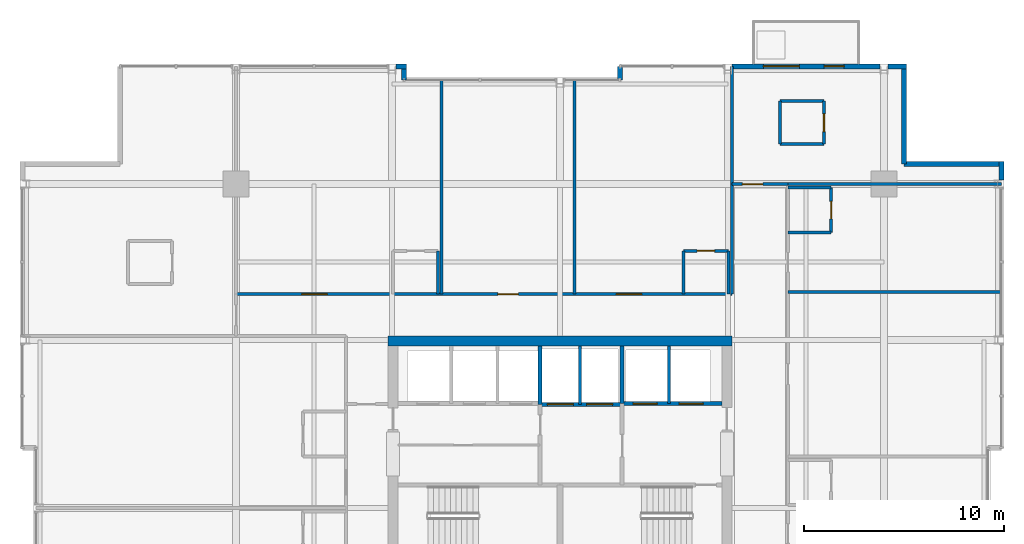
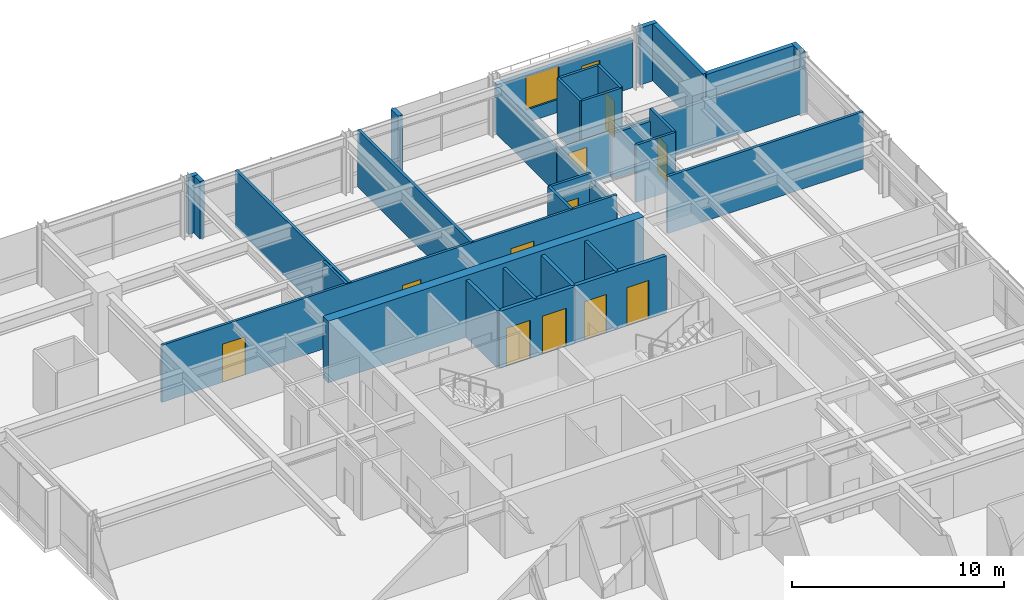
# One storey, part 30 of 33: 34 walls, 12 doors, 1 window, 13 openings.
"""IFC4 building model written with IfcOpenShell, lengths in metres."""

from ifc_helpers import new_model, si_unit, direction, frame, frame_2d, origin, place, context, subcontext, project, spatial, rectangle, extrude, material, layer, layer_set, type_object, element, fill, save


model = new_model("IFC4")

# Units and contexts
model_context = context("Model", 3, precision=1e-05, world=origin(), true_north=direction((0.0, 1.0)))
body_context = subcontext(model_context, "Body", "Model", "MODEL_VIEW")
ifc_project = project(units=[si_unit("LENGTHUNIT", "METRE"), si_unit("AREAUNIT", "SQUARE_METRE"), si_unit("VOLUMEUNIT", "CUBIC_METRE"), si_unit("PLANEANGLEUNIT", "RADIAN"), si_unit("MASSUNIT", "GRAM", prefix="KILO")], contexts=[model_context])

# Site, building, storey
site_placement = place(None, origin())
site = spatial("IfcSite", under=ifc_project, at=site_placement, CompositionType="ELEMENT")
building_placement = place(site_placement, origin())
building = spatial("IfcBuilding", under=site, at=building_placement, Name="Drelvath Grand Hotel", CompositionType="ELEMENT")
storey_placement = place(building_placement, frame((0.0, 0.0, 178.800048828125)))
storey = spatial("IfcBuildingStorey", under=building, at=storey_placement, Name="L46", CompositionType="ELEMENT", Elevation=178.800048828125)

# Wall, openings, doors
ifc_material_1 = material(Name="Concrete C40/50", Category="concrete")
ifc_layer_1 = layer(ifc_material_1, 0.199951171875)
ifc_layer_set_1 = layer_set([ifc_layer_1], Name="Concrete C40/50")
wall_type_1 = type_object("IfcWallType", Name="Core Hoistway Fire Wall 200", PredefinedType="SOLIDWALL", material=ifc_layer_set_1)
wall_1_placement = place(storey_placement, frame((3.10009765625, 32.219970703125, 0.0), z_axis=(0.0, 0.0, 1.0), x_axis=(1.0, 0.0, 0.0)))
wall_1 = element("IfcWall", 1, at=wall_1_placement, inside=storey, type_object=wall_type_1, Name="L46 FSAE Hoistway Front Wall", PredefinedType="SOLIDWALL", context=body_context, shape_type="SweptSolid", body=[
    extrude(rectangle(XDim=5.0, YDim=0.199951171875, at=frame_2d((2.5, 0.0))), origin(), (0.0, 0.0, 1.0), 3.2900390625),
])
opening_1_placement = place(wall_1_placement, frame((0.550048828125, 0.0, 0.0)))
opening_1 = element("IfcOpeningElement", 2, at=opening_1_placement, cuts=wall_1, Name="Opening LD-FSAE-1", PredefinedType="OPENING", context=body_context, shape_type="SweptSolid", body=[
    extrude(rectangle(XDim=1.199951171875, YDim=2.199951171875, at=frame_2d((0.60009765625, 1.10009765625))), frame((0.0, 0.10986328125, 0.0), z_axis=(0.0, -1.0, 0.0), x_axis=(1.0, 0.0, 0.0)), (0.0, 0.0, 1.0), 0.219970703125),
])
opening_2_placement = place(wall_1_placement, frame((2.85009765625, 0.0, 0.0)))
opening_2 = element("IfcOpeningElement", 3, at=opening_2_placement, cuts=wall_1, Name="Opening LD-FSAE-2", PredefinedType="OPENING", context=body_context, shape_type="SweptSolid", body=[
    extrude(rectangle(XDim=1.199951171875, YDim=2.199951171875, at=frame_2d((0.60009765625, 1.10009765625))), frame((0.0, 0.10986328125, 0.0), z_axis=(0.0, -1.0, 0.0), x_axis=(1.0, 0.0, 0.0)), (0.0, 0.0, 1.0), 0.219970703125),
])
ifc_material_2 = material(Name="Stainless Steel S355", Category="steel")
door_type_1 = type_object("IfcDoorType", Name="FSAE Lift Sliding Landing Door 1200x2200", OperationType="NOTDEFINED", PredefinedType="DOOR", material=ifc_material_2)
door_1_placement = place(opening_1_placement, origin())
door_1 = element("IfcDoor", 4, at=door_1_placement, inside=storey, type_object=door_type_1, Name="L46 Lift FSAE-1 Landing Door", OperationType="SLIDING_TO_LEFT", OverallHeight=2.199951171875, OverallWidth=1.199951171875, PredefinedType="DOOR", context=body_context, shape_type="SweptSolid", body=[
    extrude(rectangle(XDim=1.199951171875, YDim=2.199951171875, at=frame_2d((0.60009765625, 1.10009765625))), frame((0.0, 0.02490234375, 0.0), z_axis=(0.0, -1.0, 0.0), x_axis=(1.0, 0.0, 0.0)), (0.0, 0.0, 1.0), 0.050048828125),
])
fill(opening_1, door_1)
door_2_placement = place(opening_2_placement, origin())
door_2 = element("IfcDoor", 5, at=door_2_placement, inside=storey, type_object=door_type_1, Name="L46 Lift FSAE-2 Landing Door", OperationType="SLIDING_TO_LEFT", OverallHeight=2.199951171875, OverallWidth=1.199951171875, PredefinedType="DOOR", context=body_context, shape_type="SweptSolid", body=[
    extrude(rectangle(XDim=1.199951171875, YDim=2.199951171875, at=frame_2d((0.60009765625, 1.10009765625))), frame((0.0, 0.02490234375, 0.0), z_axis=(0.0, -1.0, 0.0), x_axis=(1.0, 0.0, 0.0)), (0.0, 0.0, 1.0), 0.050048828125),
])
fill(opening_2, door_2)

# Wall
wall_2_placement = place(storey_placement, frame((3.10009765625, 32.219970703125, 0.0), z_axis=(0.0, 0.0, 1.0), x_axis=(0.0, 1.0, 0.0)))
element("IfcWall", 6, at=wall_2_placement, inside=storey, type_object=wall_type_1, Name="L46 FSAE Hoistway West Wall", PredefinedType="SOLIDWALL", context=body_context, shape_type="SweptSolid", body=[
    extrude(rectangle(XDim=2.880126953125, YDim=0.199951171875, at=frame_2d((1.43994140625, 0.0))), origin(), (0.0, 0.0, 1.0), 3.2900390625),
])

# Wall, openings, doors
wall_3_placement = place(storey_placement, frame((-1.0, 32.179931640625, 0.0), z_axis=(0.0, 0.0, 1.0), x_axis=(1.0, 0.0, 0.0)))
wall_3 = element("IfcWall", 7, at=wall_3_placement, inside=storey, type_object=wall_type_1, Name="L46 Service Lift Hoistway Wall", PredefinedType="SOLIDWALL", context=body_context, shape_type="SweptSolid", body=[
    extrude(rectangle(XDim=4.10009765625, YDim=0.199951171875, at=frame_2d((2.050048828125, 0.0))), origin(), (0.0, 0.0, 1.0), 3.2900390625),
])
opening_3_placement = place(wall_3_placement, frame((0.3701171875, 0.0, 0.0)))
opening_3 = element("IfcOpeningElement", 8, at=opening_3_placement, cuts=wall_3, Name="Opening LD-SV-2", PredefinedType="OPENING", context=body_context, shape_type="SweptSolid", body=[
    extrude(rectangle(XDim=1.300048828125, YDim=2.199951171875, at=frame_2d((0.64990234375, 1.10009765625))), frame((0.0, 0.10986328125, 0.0), z_axis=(0.0, -1.0, 0.0), x_axis=(1.0, 0.0, 0.0)), (0.0, 0.0, 1.0), 0.219970703125),
])
opening_4_placement = place(wall_3_placement, frame((2.330078125, 0.0, 0.0)))
opening_4 = element("IfcOpeningElement", 9, at=opening_4_placement, cuts=wall_3, Name="Opening LD-SV-1", PredefinedType="OPENING", context=body_context, shape_type="SweptSolid", body=[
    extrude(rectangle(XDim=1.300048828125, YDim=2.199951171875, at=frame_2d((0.64990234375, 1.10009765625))), frame((0.0, 0.10986328125, 0.0), z_axis=(0.0, -1.0, 0.0), x_axis=(1.0, 0.0, 0.0)), (0.0, 0.0, 1.0), 0.219970703125),
])
door_type_2 = type_object("IfcDoorType", Name="Service Lift Sliding Landing Door 1300x2200", OperationType="NOTDEFINED", PredefinedType="DOOR", material=ifc_material_2)
door_3_placement = place(opening_3_placement, origin())
door_3 = element("IfcDoor", 10, at=door_3_placement, inside=storey, type_object=door_type_2, Name="L46 Lift SV-2 Landing Door", OperationType="SLIDING_TO_LEFT", OverallHeight=2.199951171875, OverallWidth=1.300048828125, PredefinedType="DOOR", context=body_context, shape_type="SweptSolid", body=[
    extrude(rectangle(XDim=1.300048828125, YDim=2.199951171875, at=frame_2d((0.64990234375, 1.10009765625))), frame((0.0, 0.02490234375, 0.0), z_axis=(0.0, -1.0, 0.0), x_axis=(1.0, 0.0, 0.0)), (0.0, 0.0, 1.0), 0.050048828125),
])
fill(opening_3, door_3)
door_4_placement = place(opening_4_placement, origin())
door_4 = element("IfcDoor", 11, at=door_4_placement, inside=storey, type_object=door_type_2, Name="L46 Lift SV-1 Landing Door", OperationType="SLIDING_TO_LEFT", OverallHeight=2.199951171875, OverallWidth=1.300048828125, PredefinedType="DOOR", context=body_context, shape_type="SweptSolid", body=[
    extrude(rectangle(XDim=1.300048828125, YDim=2.199951171875, at=frame_2d((0.64990234375, 1.10009765625))), frame((0.0, 0.02490234375, 0.0), z_axis=(0.0, -1.0, 0.0), x_axis=(1.0, 0.0, 0.0)), (0.0, 0.0, 1.0), 0.050048828125),
])
fill(opening_4, door_4)

# Walls
wall_4_placement = place(storey_placement, frame((-1.0, 32.179931640625, 0.0), z_axis=(0.0, 0.0, 1.0), x_axis=(0.0, 1.0, 0.0)))
element("IfcWall", 12, at=wall_4_placement, inside=storey, type_object=wall_type_1, Name="L46 Service Lift West Wall", PredefinedType="SOLIDWALL", context=body_context, shape_type="SweptSolid", body=[
    extrude(rectangle(XDim=2.920166015625, YDim=0.199951171875, at=frame_2d((1.4599609375, 0.0))), origin(), (0.0, 0.0, 1.0), 3.2900390625),
])
ifc_material_3 = material(Name="Gypsum Fireboard Partition")
ifc_layer_2 = layer(ifc_material_3, 0.1650390625)
ifc_layer_set_2 = layer_set([ifc_layer_2], Name="Gypsum Fireboard Partition")
wall_type_2 = type_object("IfcWallType", Name="Core Shaft Partition 165", PredefinedType="PARTITIONING", material=ifc_layer_set_2)
wall_5_placement = place(storey_placement, frame((5.449951171875, 32.219970703125, 0.0), z_axis=(0.0, 0.0, 1.0), x_axis=(0.0, 1.0, 0.0)))
element("IfcWall", 13, at=wall_5_placement, inside=storey, type_object=wall_type_2, Name="L46 FSAE Hoistway Divider", PredefinedType="PARTITIONING", context=body_context, shape_type="SweptSolid", body=[
    extrude(rectangle(XDim=2.880126953125, YDim=0.1650390625, at=frame_2d((1.43994140625, 0.0))), origin(), (0.0, 0.0, 1.0), 3.2900390625),
])
wall_6_placement = place(storey_placement, frame((1.0, 32.179931640625, 0.0), z_axis=(0.0, 0.0, 1.0), x_axis=(0.0, 1.0, 0.0)))
element("IfcWall", 14, at=wall_6_placement, inside=storey, type_object=wall_type_2, Name="L46 Service Lift Divider", PredefinedType="PARTITIONING", context=body_context, shape_type="SweptSolid", body=[
    extrude(rectangle(XDim=2.920166015625, YDim=0.1650390625, at=frame_2d((1.4599609375, 0.0))), origin(), (0.0, 0.0, 1.0), 3.2900390625),
])
ifc_layer_3 = layer(ifc_material_3, 0.135009765625)
ifc_layer_set_3 = layer_set([ifc_layer_3], Name="Gypsum Fireboard Partition")
wall_type_3 = type_object("IfcWallType", Name="Corridor Fire Barrier Wall 135", PredefinedType="PARTITIONING", material=ifc_layer_set_3)
wall_7_placement = place(storey_placement, frame((8.60009765625, 37.699951171875, 0.0), z_axis=(0.0, 0.0, 1.0), x_axis=(0.0, 1.0, 0.0)))
element("IfcWall", 15, at=wall_7_placement, inside=storey, type_object=wall_type_3, Name="L46 East Spine North Inner Wall", PredefinedType="PARTITIONING", context=body_context, shape_type="SweptSolid", body=[
    extrude(rectangle(XDim=5.5, YDim=0.135009765625, at=frame_2d((2.75, 0.0))), origin(), (0.0, 0.0, 1.0), 2.667236328125),
])

# Wall, openings, doors
wall_8_placement = place(storey_placement, frame((-16.199951171875, 37.699951171875, 0.0), z_axis=(0.0, 0.0, 1.0), x_axis=(1.0, 0.0, 0.0)))
wall_8 = element("IfcWall", 16, at=wall_8_placement, inside=storey, type_object=wall_type_3, Name="L46 North Stub Corridor Wall", PredefinedType="PARTITIONING", context=body_context, shape_type="SweptSolid", body=[
    extrude(rectangle(XDim=24.800048828125, YDim=0.135009765625, at=frame_2d((12.39990234375, 0.0))), origin(), (0.0, 0.0, 1.0), 3.2900390625),
])
opening_5_placement = place(wall_8_placement, frame((3.29638671875, 0.0, 0.0)))
opening_5 = element("IfcOpeningElement", 17, at=opening_5_placement, cuts=wall_8, Name="Opening D-T3G3-041", PredefinedType="OPENING", context=body_context, shape_type="SweptSolid", body=[
    extrude(rectangle(XDim=1.260009765625, YDim=2.199951171875, at=frame_2d((0.6298828125, 1.10009765625))), frame((0.0, 0.077392578125, 0.0), z_axis=(0.0, -1.0, 0.0), x_axis=(1.0, 0.0, 0.0)), (0.0, 0.0, 1.0), 0.155029296875),
])
opening_6_placement = place(wall_8_placement, frame((13.099853515625, 0.0, 0.0)))
opening_6 = element("IfcOpeningElement", 18, at=opening_6_placement, cuts=wall_8, Name="Opening D-T3G3-042", PredefinedType="OPENING", context=body_context, shape_type="SweptSolid", body=[
    extrude(rectangle(XDim=1.02001953125, YDim=2.14990234375, at=frame_2d((0.510009765625, 1.074951171875))), frame((0.0, 0.077392578125, 0.0), z_axis=(0.0, -1.0, 0.0), x_axis=(1.0, 0.0, 0.0)), (0.0, 0.0, 1.0), 0.155029296875),
])
opening_7_placement = place(wall_8_placement, frame((19.023193359375, 0.0, 0.0)))
opening_7 = element("IfcOpeningElement", 19, at=opening_7_placement, cuts=wall_8, Name="Opening D-T3G3-044", PredefinedType="OPENING", context=body_context, shape_type="SweptSolid", body=[
    extrude(rectangle(XDim=1.260009765625, YDim=2.199951171875, at=frame_2d((0.6298828125, 1.10009765625))), frame((0.0, 0.077392578125, 0.0), z_axis=(0.0, -1.0, 0.0), x_axis=(1.0, 0.0, 0.0)), (0.0, 0.0, 1.0), 0.155029296875),
])
ifc_material_4 = material(Name="Hardwood Walnut Timber", Category="wood")
door_type_3 = type_object("IfcDoorType", Name="Amenity Meeting Fire Door 1020x2150", OperationType="NOTDEFINED", PredefinedType="DOOR", material=ifc_material_4)
door_5_placement = place(opening_6_placement, origin())
door_5 = element("IfcDoor", 20, at=door_5_placement, inside=storey, type_object=door_type_3, Name="L46 Artisan Coffee Bar Entry Door", OperationType="SINGLE_SWING_RIGHT", OverallHeight=2.14990234375, OverallWidth=1.02001953125, PredefinedType="DOOR", context=body_context, shape_type="SweptSolid", body=[
    extrude(rectangle(XDim=1.02001953125, YDim=2.14990234375, at=frame_2d((0.510009765625, 1.074951171875))), frame((0.0, 0.02490234375, 0.0), z_axis=(0.0, -1.0, 0.0), x_axis=(1.0, 0.0, 0.0)), (0.0, 0.0, 1.0), 0.050048828125),
])
fill(opening_6, door_5)
door_type_4 = type_object("IfcDoorType", Name="Suite Entrance Fire Door 1260x2200", OperationType="NOTDEFINED", PredefinedType="DOOR", material=ifc_material_4)
door_6_placement = place(opening_5_placement, origin())
door_6 = element("IfcDoor", 21, at=door_6_placement, inside=storey, type_object=door_type_4, Name="L46 Executive Suite Entry Door", OperationType="SINGLE_SWING_LEFT", OverallHeight=2.199951171875, OverallWidth=1.260009765625, PredefinedType="DOOR", context=body_context, shape_type="SweptSolid", body=[
    extrude(rectangle(XDim=1.260009765625, YDim=2.199951171875, at=frame_2d((0.6298828125, 1.10009765625))), frame((0.0, 0.02490234375, 0.0), z_axis=(0.0, -1.0, 0.0), x_axis=(1.0, 0.0, 0.0)), (0.0, 0.0, 1.0), 0.050048828125),
])
fill(opening_5, door_6)
door_7_placement = place(opening_7_placement, origin())
door_7 = element("IfcDoor", 22, at=door_7_placement, inside=storey, type_object=door_type_4, Name="L46 Executive Suite Entry Door", OperationType="SINGLE_SWING_RIGHT", OverallHeight=2.199951171875, OverallWidth=1.260009765625, PredefinedType="DOOR", context=body_context, shape_type="SweptSolid", body=[
    extrude(rectangle(XDim=1.260009765625, YDim=2.199951171875, at=frame_2d((0.6298828125, 1.10009765625))), frame((0.0, 0.02490234375, 0.0), z_axis=(0.0, -1.0, 0.0), x_axis=(1.0, 0.0, 0.0)), (0.0, 0.0, 1.0), 0.050048828125),
])
fill(opening_7, door_7)

# Wall, opening, door
wall_9_placement = place(storey_placement, frame((8.60009765625, 43.199951171875, 0.0), z_axis=(0.0, 0.0, 1.0), x_axis=(1.0, 0.0, 0.0)))
wall_9 = element("IfcWall", 23, at=wall_9_placement, inside=storey, type_object=wall_type_3, Name="L46 East Spine North End", PredefinedType="PARTITIONING", context=body_context, shape_type="SweptSolid", body=[
    extrude(rectangle(XDim=2.7998046875, YDim=0.135009765625, at=frame_2d((1.39990234375, 0.0))), origin(), (0.0, 0.0, 1.0), 2.57958984375),
])
opening_8_placement = place(wall_9_placement, frame((0.52001953125, 0.0, 0.0)))
opening_8 = element("IfcOpeningElement", 24, at=opening_8_placement, cuts=wall_9, Name="Opening D-T3G3-031", PredefinedType="OPENING", context=body_context, shape_type="SweptSolid", body=[
    extrude(rectangle(XDim=1.02001953125, YDim=2.14990234375, at=frame_2d((0.510009765625, 1.074951171875))), frame((0.0, 0.077392578125, 0.0), z_axis=(0.0, -1.0, 0.0), x_axis=(1.0, 0.0, 0.0)), (0.0, 0.0, 1.0), 0.155029296875),
])
door_8_placement = place(opening_8_placement, origin())
door_8 = element("IfcDoor", 25, at=door_8_placement, inside=storey, type_object=door_type_3, Name="L46 Executive Suite Entry Door", OperationType="SINGLE_SWING_LEFT", OverallHeight=2.14990234375, OverallWidth=1.02001953125, PredefinedType="DOOR", context=body_context, shape_type="SweptSolid", body=[
    extrude(rectangle(XDim=1.02001953125, YDim=2.14990234375, at=frame_2d((0.510009765625, 1.074951171875))), frame((0.0, 0.02490234375, 0.0), z_axis=(0.0, -1.0, 0.0), x_axis=(1.0, 0.0, 0.0)), (0.0, 0.0, 1.0), 0.050048828125),
])
fill(opening_8, door_8)

# Walls
ifc_material_5 = material(Name="Moisture-Resistant Gypsum Board")
ifc_layer_4 = layer(ifc_material_5, 0.139892578125)
ifc_layer_set_4 = layer_set([ifc_layer_4], Name="Moisture-Resistant Gypsum Board")
wall_type_4 = type_object("IfcWallType", Name="En-Suite Plumbing Wall 140", PredefinedType="PLUMBINGWALL", material=ifc_layer_set_4)
for number, where, z_axis, x_axis, name in (
    (26, (11.0, 45.199951171875, 0.0), (0.0, 0.0, 1.0), (1.0, 0.0, 0.0), "L46 Corner En-Suite South"),
    (27, (11.0, 47.35009765625, 0.0), (0.0, 0.0, 1.0), (1.0, 0.0, 0.0), "L46 Corner En-Suite North"),
):
    element("IfcWall", number, at=place(storey_placement, frame(where, z_axis=z_axis, x_axis=x_axis)), inside=storey, type_object=wall_type_4, Name=name, PredefinedType="PLUMBINGWALL", context=body_context, shape_type="SweptSolid", body=[
        extrude(rectangle(XDim=2.199951171875, YDim=0.139892578125, at=frame_2d((1.10009765625, 0.0))), origin(), (0.0, 0.0, 1.0), 3.2900390625),
    ])
wall_10_placement = place(storey_placement, frame((11.0, 45.199951171875, 0.0), z_axis=(0.0, 0.0, 1.0), x_axis=(0.0, 1.0, 0.0)))
element("IfcWall", 28, at=wall_10_placement, inside=storey, type_object=wall_type_4, Name="L46 Corner En-Suite West", PredefinedType="PLUMBINGWALL", context=body_context, shape_type="SweptSolid", body=[
    extrude(rectangle(XDim=2.150146484375, YDim=0.139892578125, at=frame_2d((1.0751953125, 0.0))), origin(), (0.0, 0.0, 1.0), 3.2900390625),
])

# Wall, opening, door
wall_11_placement = place(storey_placement, frame((13.199951171875, 45.199951171875, 0.0), z_axis=(0.0, 0.0, 1.0), x_axis=(0.0, 1.0, 0.0)))
wall_11 = element("IfcWall", 29, at=wall_11_placement, inside=storey, type_object=wall_type_4, Name="L46 Corner En-Suite East", PredefinedType="PLUMBINGWALL", context=body_context, shape_type="SweptSolid", body=[
    extrude(rectangle(XDim=2.150146484375, YDim=0.139892578125, at=frame_2d((1.0751953125, 0.0))), origin(), (0.0, 0.0, 1.0), 3.2900390625),
])
opening_9_placement = place(wall_11_placement, frame((0.6201171875, 0.0, 0.0)))
opening_9 = element("IfcOpeningElement", 30, at=opening_9_placement, cuts=wall_11, Name="Opening D-T3G3-030", PredefinedType="OPENING", context=body_context, shape_type="SweptSolid", body=[
    extrude(rectangle(XDim=0.8798828125, YDim=2.10009765625, at=frame_2d((0.43994140625, 1.050048828125))), frame((0.0, 0.079833984375, 0.0), z_axis=(0.0, -1.0, 0.0), x_axis=(1.0, 0.0, 0.0)), (0.0, 0.0, 1.0), 0.159912109375),
])
door_type_5 = type_object("IfcDoorType", Name="En-Suite Bathroom Door 880x2100", OperationType="NOTDEFINED", PredefinedType="DOOR", material=ifc_material_4)
door_9_placement = place(opening_9_placement, origin())
door_9 = element("IfcDoor", 31, at=door_9_placement, inside=storey, type_object=door_type_5, Name="L46 Corner En-Suite Door", OperationType="SINGLE_SWING_RIGHT", OverallHeight=2.10009765625, OverallWidth=0.8798828125, PredefinedType="DOOR", context=body_context, shape_type="SweptSolid", body=[
    extrude(rectangle(XDim=0.8798828125, YDim=2.10009765625, at=frame_2d((0.43994140625, 1.050048828125))), frame((0.0, 0.02490234375, 0.0), z_axis=(0.0, -1.0, 0.0), x_axis=(1.0, 0.0, 0.0)), (0.0, 0.0, 1.0), 0.050048828125),
])
fill(opening_9, door_9)

# Walls
for number, where, z_axis, x_axis, name in (
    (32, (-6.09716796875, 37.699951171875, 0.0), (0.0, 0.0, 1.0), (0.0, 1.0, 0.0), "L46 En-Suite Right Wall"),
    (33, (6.169921875, 37.699951171875, 0.0), (0.0, 0.0, 1.0), (0.0, 1.0, 0.0), "L46 En-Suite Left Wall"),
):
    element("IfcWall", number, at=place(storey_placement, frame(where, z_axis=z_axis, x_axis=x_axis)), inside=storey, type_object=wall_type_4, Name=name, PredefinedType="PLUMBINGWALL", context=body_context, shape_type="SweptSolid", body=[
        extrude(rectangle(XDim=2.150146484375, YDim=0.139892578125, at=frame_2d((1.0751953125, 0.0))), origin(), (0.0, 0.0, 1.0), 3.2900390625),
    ])
wall_12_placement = place(storey_placement, frame((8.419921875, 37.699951171875, 0.0), z_axis=(0.0, 0.0, 1.0), x_axis=(0.0, 1.0, 0.0)))
element("IfcWall", 34, at=wall_12_placement, inside=storey, type_object=wall_type_4, Name="L46 En-Suite Right Wall", PredefinedType="PLUMBINGWALL", context=body_context, shape_type="SweptSolid", body=[
    extrude(rectangle(XDim=2.150146484375, YDim=0.139892578125, at=frame_2d((1.0751953125, 0.0))), origin(), (0.0, 0.0, 1.0), 2.667236328125),
])

# Wall, opening, door
wall_13_placement = place(storey_placement, frame((6.169921875, 39.85009765625, 0.0), z_axis=(0.0, 0.0, 1.0), x_axis=(1.0, 0.0, 0.0)))
wall_13 = element("IfcWall", 35, at=wall_13_placement, inside=storey, type_object=wall_type_4, Name="L46 En-Suite Front Wall", PredefinedType="PLUMBINGWALL", context=body_context, shape_type="SweptSolid", body=[
    extrude(rectangle(XDim=2.25, YDim=0.139892578125, at=frame_2d((1.125, 0.0))), origin(), (0.0, 0.0, 1.0), 3.2900390625),
])
opening_10_placement = place(wall_13_placement, frame((0.68505859375, 0.0, 0.0)))
opening_10 = element("IfcOpeningElement", 36, at=opening_10_placement, cuts=wall_13, Name="Opening D-T3G3-043", PredefinedType="OPENING", context=body_context, shape_type="SweptSolid", body=[
    extrude(rectangle(XDim=0.8798828125, YDim=2.10009765625, at=frame_2d((0.43994140625, 1.050048828125))), frame((0.0, 0.079833984375, 0.0), z_axis=(0.0, -1.0, 0.0), x_axis=(1.0, 0.0, 0.0)), (0.0, 0.0, 1.0), 0.159912109375),
])
door_10_placement = place(opening_10_placement, origin())
door_10 = element("IfcDoor", 37, at=door_10_placement, inside=storey, type_object=door_type_5, Name="L46 En-Suite Bathroom Door", OperationType="SINGLE_SWING_LEFT", OverallHeight=2.10009765625, OverallWidth=0.8798828125, PredefinedType="DOOR", context=body_context, shape_type="SweptSolid", body=[
    extrude(rectangle(XDim=0.8798828125, YDim=2.10009765625, at=frame_2d((0.43994140625, 1.050048828125))), frame((0.0, 0.02490234375, 0.0), z_axis=(0.0, -1.0, 0.0), x_axis=(1.0, 0.0, 0.0)), (0.0, 0.0, 1.0), 0.050048828125),
])
fill(opening_10, door_10)

# Walls
wall_14_placement = place(storey_placement, frame((11.39990234375, 40.77001953125, 0.0), z_axis=(0.0, 0.0, 1.0), x_axis=(1.0, 0.0, 0.0)))
element("IfcWall", 38, at=wall_14_placement, inside=storey, type_object=wall_type_4, Name="L46 En-Suite Left Wall", PredefinedType="PLUMBINGWALL", context=body_context, shape_type="SweptSolid", body=[
    extrude(rectangle(XDim=2.150146484375, YDim=0.139892578125, at=frame_2d((1.0751953125, 0.0))), origin(), (0.0, 0.0, 1.0), 3.2900390625),
])
wall_15_placement = place(storey_placement, frame((11.39990234375, 43.02001953125, 0.0), z_axis=(0.0, 0.0, 1.0), x_axis=(1.0, 0.0, 0.0)))
element("IfcWall", 39, at=wall_15_placement, inside=storey, type_object=wall_type_4, Name="L46 En-Suite Right Wall", PredefinedType="PLUMBINGWALL", context=body_context, shape_type="SweptSolid", body=[
    extrude(rectangle(XDim=2.150146484375, YDim=0.139892578125, at=frame_2d((1.0751953125, 0.0))), origin(), (0.0, 0.0, 1.0), 2.57958984375),
])

# Wall, opening, door
wall_16_placement = place(storey_placement, frame((13.550048828125, 40.77001953125, 0.0), z_axis=(0.0, 0.0, 1.0), x_axis=(0.0, 1.0, 0.0)))
wall_16 = element("IfcWall", 40, at=wall_16_placement, inside=storey, type_object=wall_type_4, Name="L46 En-Suite Front Wall", PredefinedType="PLUMBINGWALL", context=body_context, shape_type="SweptSolid", body=[
    extrude(rectangle(XDim=2.25, YDim=0.139892578125, at=frame_2d((1.125, 0.0))), origin(), (0.0, 0.0, 1.0), 3.2900390625),
])
opening_11_placement = place(wall_16_placement, frame((0.68505859375, 0.0, 0.0)))
opening_11 = element("IfcOpeningElement", 41, at=opening_11_placement, cuts=wall_16, Name="Opening D-T3G3-051", PredefinedType="OPENING", context=body_context, shape_type="SweptSolid", body=[
    extrude(rectangle(XDim=0.8798828125, YDim=2.10009765625, at=frame_2d((0.43994140625, 1.050048828125))), frame((0.0, 0.079833984375, 0.0), z_axis=(0.0, -1.0, 0.0), x_axis=(1.0, 0.0, 0.0)), (0.0, 0.0, 1.0), 0.159912109375),
])
door_11_placement = place(opening_11_placement, origin())
door_11 = element("IfcDoor", 42, at=door_11_placement, inside=storey, type_object=door_type_5, Name="L46 En-Suite Bathroom Door", OperationType="SINGLE_SWING_LEFT", OverallHeight=2.10009765625, OverallWidth=0.8798828125, PredefinedType="DOOR", context=body_context, shape_type="SweptSolid", body=[
    extrude(rectangle(XDim=0.8798828125, YDim=2.10009765625, at=frame_2d((0.43994140625, 1.050048828125))), frame((0.0, 0.02490234375, 0.0), z_axis=(0.0, -1.0, 0.0), x_axis=(1.0, 0.0, 0.0)), (0.0, 0.0, 1.0), 0.050048828125),
])
fill(opening_11, door_11)

# Walls
ifc_material_6 = material(Name="Gypsum Acoustic Partition")
ifc_layer_5 = layer(ifc_material_6, 0.14990234375)
ifc_layer_set_5 = layer_set([ifc_layer_5], Name="Gypsum Acoustic Partition")
wall_type_5 = type_object("IfcWallType", Name="Guestroom Demising Wall 150", PredefinedType="PARTITIONING", material=ifc_layer_set_5)
for number, where, z_axis, x_axis, name in (
    (43, (-5.9169921875, 37.699951171875, 0.0), (0.0, 0.0, 1.0), (0.0, 1.0, 0.0), "L46 North Demising 1"),
    (44, (0.736572265625, 37.699951171875, 0.0), (0.0, 0.0, 1.0), (0.0, 1.0, 0.0), "L46 North Demising 2"),
):
    element("IfcWall", number, at=place(storey_placement, frame(where, z_axis=z_axis, x_axis=x_axis)), inside=storey, type_object=wall_type_5, Name=name, PredefinedType="PARTITIONING", context=body_context, shape_type="SweptSolid", body=[
        extrude(rectangle(XDim=10.699951171875, YDim=0.14990234375, at=frame_2d((5.35009765625, 0.0))), origin(), (0.0, 0.0, 1.0), 3.2900390625),
    ])
wall_17_placement = place(storey_placement, frame((11.39990234375, 37.800048828125, 0.0), z_axis=(0.0, 0.0, 1.0), x_axis=(1.0, 0.0, 0.0)))
element("IfcWall", 45, at=wall_17_placement, inside=storey, type_object=wall_type_5, Name="L46 East Demising 4", PredefinedType="PARTITIONING", context=body_context, shape_type="SweptSolid", body=[
    extrude(rectangle(XDim=10.68017578125, YDim=0.14990234375, at=frame_2d((5.340087890625, 0.0))), origin(), (0.0, 0.0, 1.0), 3.2900390625),
])
ifc_layer_6 = layer(ifc_material_6, 0.1650390625)
ifc_layer_set_6 = layer_set([ifc_layer_6], Name="Gypsum Acoustic Partition")
wall_type_6 = type_object("IfcWallType", Name="Suite Demising Wall 165", PredefinedType="PARTITIONING", material=ifc_layer_set_6)
wall_18_placement = place(storey_placement, frame((8.60009765625, 43.199951171875, 0.0), z_axis=(0.0, 0.0, 1.0), x_axis=(0.0, 1.0, 0.0)))
element("IfcWall", 46, at=wall_18_placement, inside=storey, type_object=wall_type_6, Name="L46 NE Suite West Wall", PredefinedType="PARTITIONING", context=body_context, shape_type="SweptSolid", body=[
    extrude(rectangle(XDim=5.880126953125, YDim=0.1650390625, at=frame_2d((2.93994140625, 0.0))), origin(), (0.0, 0.0, 1.0), 2.57958984375),
])
wall_19_placement = place(storey_placement, frame((11.39990234375, 43.199951171875, 0.0), z_axis=(0.0, 0.0, 1.0), x_axis=(1.0, 0.0, 0.0)))
element("IfcWall", 47, at=wall_19_placement, inside=storey, type_object=wall_type_6, Name="L46 NE Suite South Wall", PredefinedType="PARTITIONING", context=body_context, shape_type="SweptSolid", body=[
    extrude(rectangle(XDim=10.68017578125, YDim=0.1650390625, at=frame_2d((5.340087890625, 0.0))), origin(), (0.0, 0.0, 1.0), 2.57958984375),
])
ifc_material_7 = material(Name="Pale-Metal Insulated Aluminium Spandrel Assembly", Category="aluminium")
ifc_layer_7 = layer(ifc_material_7, 0.239990234375)
ifc_layer_set_7 = layer_set([ifc_layer_7], Name="Pale-Metal Insulated Aluminium Spandrel Assembly")
wall_type_7 = type_object("IfcWallType", Name="Tower Insulated Metal Spandrel Closure Wall 240", PredefinedType="STANDARD", material=ifc_layer_set_7)
wall_20_placement = place(storey_placement, frame((22.080078125, 44.320068359375, 0.0), z_axis=(0.0, 0.0, 1.0), x_axis=(0.0, -1.0, 0.0)))
element("IfcWall", 48, at=wall_20_placement, inside=storey, type_object=wall_type_7, Name="L46 Corner Pier Spandrel Wall EN3", PredefinedType="STANDARD", context=body_context, shape_type="SweptSolid", body=[
    extrude(rectangle(XDim=0.928466796875, YDim=0.239990234375, at=frame_2d((0.46435546875, 0.0))), origin(), (0.0, 0.0, 1.0), 3.2900390625),
])
wall_21_placement = place(storey_placement, frame((-8.208251953125, 49.080078125, 0.0), z_axis=(0.0, 0.0, 1.0), x_axis=(1.0, 0.0, 0.0)))
element("IfcWall", 49, at=wall_21_placement, inside=storey, type_object=wall_type_7, Name="L46 Corner Pier Spandrel Wall NW3", PredefinedType="STANDARD", context=body_context, shape_type="SweptSolid", body=[
    extrude(rectangle(XDim=0.5283203125, YDim=0.239990234375, at=frame_2d((0.26416015625, 0.0))), origin(), (0.0, 0.0, 1.0), 3.2900390625),
])

# Wall, openings, window, door
wall_22_placement = place(storey_placement, frame((8.591796875, 49.080078125, 0.0), z_axis=(0.0, 0.0, 1.0), x_axis=(1.0, 0.0, 0.0)))
wall_22 = element("IfcWall", 50, at=wall_22_placement, inside=storey, type_object=wall_type_7, Name="L46 Exterior Terrace Door Bay Wall NE2", PredefinedType="STANDARD", context=body_context, shape_type="SweptSolid", body=[
    extrude(rectangle(XDim=7.41650390625, YDim=0.239990234375, at=frame_2d((3.708251953125, 0.0))), origin(), (0.0, 0.0, 1.0), 2.753173828125),
])
opening_12_placement = place(wall_22_placement, frame((4.6083984375, 0.0, 0.0)))
opening_12 = element("IfcOpeningElement", 51, at=opening_12_placement, cuts=wall_22, Name="Opening TD-1000", PredefinedType="OPENING", context=body_context, shape_type="SweptSolid", body=[
    extrude(rectangle(XDim=1.0, YDim=2.199951171875, at=frame_2d((0.5, 1.10009765625))), frame((0.0, 0.1298828125, 0.0), z_axis=(0.0, -1.0, 0.0), x_axis=(1.0, 0.0, 0.0)), (0.0, 0.0, 1.0), 0.260009765625),
])
opening_13_placement = place(wall_22_placement, frame((1.57958984375, 0.0, 0.75)))
opening_13 = element("IfcOpeningElement", 52, at=opening_13_placement, cuts=wall_22, Name="Opening W-02", PredefinedType="OPENING", context=body_context, shape_type="SweptSolid", body=[
    extrude(rectangle(XDim=1.800048828125, YDim=1.9033203125, at=frame_2d((0.89990234375, 0.95166015625))), frame((0.0, 0.1298828125, 0.0), z_axis=(0.0, -1.0, 0.0), x_axis=(1.0, 0.0, 0.0)), (0.0, 0.0, 1.0), 0.260009765625),
])
ifc_material_8 = material(Name="Bronze Anodised Low-E Triple Glazing", Category="glass")
window_type = type_object("IfcWindowType", Name="Chicago Double-Pane Podium Window 1800x2400", PartitioningType="DOUBLE_PANEL_VERTICAL", PredefinedType="WINDOW", material=ifc_material_8)
window_placement = place(opening_13_placement, origin())
window = element("IfcWindow", 53, at=window_placement, inside=storey, type_object=window_type, Name="L46 Terrace Bay Companion Window NE2", OverallHeight=1.9033203125, OverallWidth=1.800048828125, PartitioningType="SINGLE_PANEL", PredefinedType="WINDOW", context=body_context, shape_type="SweptSolid", body=[
    extrude(rectangle(XDim=1.800048828125, YDim=1.9033203125, at=frame_2d((0.89990234375, 0.95166015625))), frame((0.0, 0.030029296875, 0.0), z_axis=(0.0, -1.0, 0.0), x_axis=(1.0, 0.0, 0.0)), (0.0, 0.0, 1.0), 0.06005859375),
])
fill(opening_13, window)
ifc_material_9 = material(Name="Anodised Aluminium Thermally Broken Glazed Door", Category="aluminium")
door_type_6 = type_object("IfcDoorType", Name="Terrace and Tree Balcony Glazed Door 1000x2200", OperationType="NOTDEFINED", PredefinedType="DOOR", material=ifc_material_9)
door_12_placement = place(opening_12_placement, origin())
door_12 = element("IfcDoor", 54, at=door_12_placement, inside=storey, type_object=door_type_6, Name="L46 Tree Balcony Door DOOR-L46-TBAL-1", OperationType="SINGLE_SWING_LEFT", OverallHeight=2.199951171875, OverallWidth=1.0, PredefinedType="DOOR", context=body_context, shape_type="SweptSolid", body=[
    extrude(rectangle(XDim=1.0, YDim=2.199951171875, at=frame_2d((0.5, 1.10009765625))), frame((0.0, 0.02490234375, 0.0), z_axis=(0.0, -1.0, 0.0), x_axis=(1.0, 0.0, 0.0)), (0.0, 0.0, 1.0), 0.050048828125),
])
fill(opening_12, door_12)

# Walls
wall_23_placement = place(storey_placement, frame((16.3916015625, 49.080078125, 0.0), z_axis=(0.0, 0.0, 1.0), x_axis=(1.0, 0.0, 0.0)))
element("IfcWall", 55, at=wall_23_placement, inside=storey, type_object=wall_type_7, Name="L46 Corner Pier Spandrel Wall NE3", PredefinedType="STANDARD", context=body_context, shape_type="SweptSolid", body=[
    extrude(rectangle(XDim=0.928466796875, YDim=0.239990234375, at=frame_2d((0.46435546875, 0.0))), origin(), (0.0, 0.0, 1.0), 3.2900390625),
])
for number, where, z_axis, x_axis, name in (
    (56, (17.199951171875, 48.9599609375, 0.0), (0.0, 0.0, 1.0), (0.0, -1.0, 0.0), "L46 Notched Corner Return Spandrel Wall CNE1"),
    (57, (17.199951171875, 44.199951171875, 0.0), (0.0, 0.0, 1.0), (1.0, 0.0, 0.0), "L46 Notched Corner Return Spandrel Wall CNE2"),
):
    element("IfcWall", number, at=place(storey_placement, frame(where, z_axis=z_axis, x_axis=x_axis)), inside=storey, type_object=wall_type_7, Name=name, PredefinedType="STANDARD", context=body_context, shape_type="SweptSolid", body=[
        extrude(rectangle(XDim=4.760009765625, YDim=0.239990234375, at=frame_2d((2.3798828125, 0.0))), origin(), (0.0, 0.0, 1.0), 3.2900390625),
    ])
wall_24_placement = place(storey_placement, frame((-7.800048828125, 48.9599609375, 0.0), z_axis=(0.0, 0.0, 1.0), x_axis=(0.0, -1.0, 0.0)))
element("IfcWall", 58, at=wall_24_placement, inside=storey, type_object=wall_type_7, Name="L46 Notched Corner Return Spandrel Wall RN1", PredefinedType="STANDARD", context=body_context, shape_type="SweptSolid", body=[
    extrude(rectangle(XDim=0.56005859375, YDim=0.239990234375, at=frame_2d((0.280029296875, 0.0))), origin(), (0.0, 0.0, 1.0), 3.2900390625),
])
wall_25_placement = place(storey_placement, frame((3.0, 48.39990234375, 0.0), z_axis=(0.0, 0.0, 1.0), x_axis=(0.0, 1.0, 0.0)))
element("IfcWall", 59, at=wall_25_placement, inside=storey, type_object=wall_type_7, Name="L46 Notched Corner Return Spandrel Wall RN2", PredefinedType="STANDARD", context=body_context, shape_type="SweptSolid", body=[
    extrude(rectangle(XDim=0.68017578125, YDim=0.239990234375, at=frame_2d((0.340087890625, 0.0))), origin(), (0.0, 0.0, 1.0), 3.2900390625),
])
ifc_material_10 = material(Name="Concrete f'c 55 MPa", Category="concrete")
ifc_layer_8 = layer(ifc_material_10, 0.5)
ifc_layer_set_8 = layer_set([ifc_layer_8], Name="Concrete f'c 55 MPa")
wall_type_8 = type_object("IfcWallType", Name="Upper Core RC Shear Wall 500", PredefinedType="SHEAR", material=ifc_layer_set_8)
wall_26_placement = place(storey_placement, frame((-8.60009765625, 35.35009765625, 0.0), z_axis=(0.0, 0.0, 1.0), x_axis=(1.0, 0.0, 0.0)))
element("IfcWall", 60, at=wall_26_placement, inside=storey, type_object=wall_type_8, Name="L46 Central Core Shear Wall N", PredefinedType="SHEAR", context=body_context, shape_type="SweptSolid", body=[
    extrude(rectangle(XDim=17.2001953125, YDim=0.5, at=frame_2d((8.60009765625, 0.0))), origin(), (0.0, 0.0, 1.0), 3.550048828125),
])

save(model, "model.ifc")
